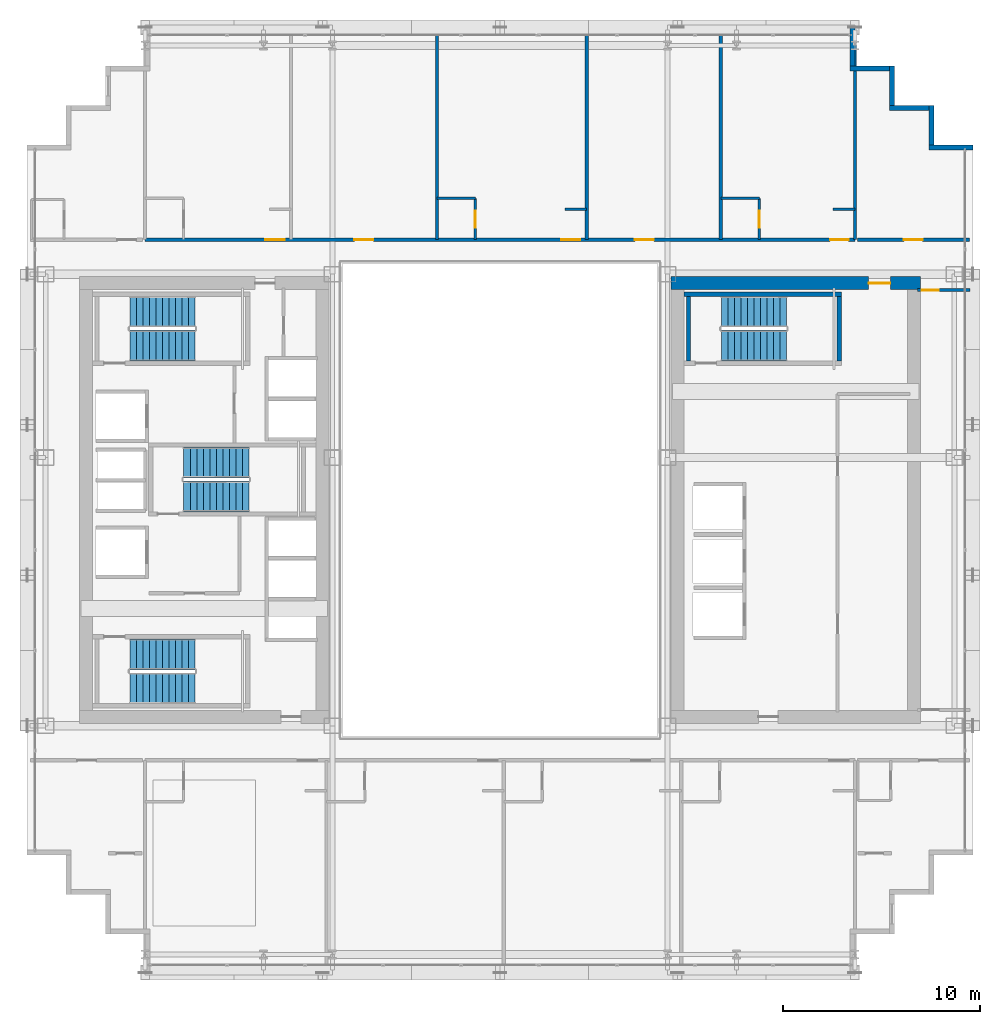
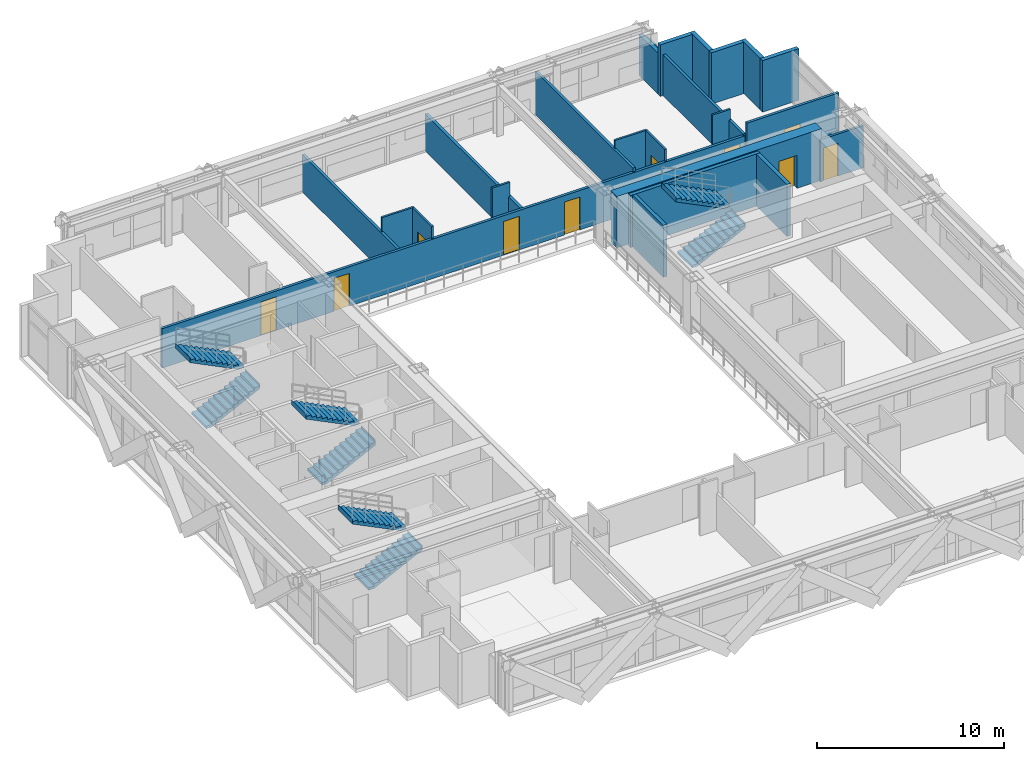
# One storey, part 30 of 34: 23 walls, 10 doors, 8 stair flights, 10 openings, 4 elements without a shape of their own.
"""IFC4 building model written with IfcOpenShell, lengths in metres."""

from ifc_helpers import new_model, si_unit, direction, frame, frame_2d, origin, place, context, subcontext, project, spatial, polyline, rectangle, outline, extrude, source, transform, mapped, material, layer, layer_set, type_object, element, fill, aggregate, save


model = new_model("IFC4")

# Units and contexts
model_context = context("Model", 3, precision=1e-05, world=origin(), true_north=direction((0.0, 1.0)))
body_context = subcontext(model_context, "Body", "Model", "MODEL_VIEW")
ifc_project = project(units=[si_unit("LENGTHUNIT", "METRE"), si_unit("AREAUNIT", "SQUARE_METRE"), si_unit("VOLUMEUNIT", "CUBIC_METRE"), si_unit("PLANEANGLEUNIT", "RADIAN"), si_unit("MASSUNIT", "GRAM", prefix="KILO")], contexts=[model_context])

# Site, building, storey
site_placement = place(None, origin())
site = spatial("IfcSite", under=ifc_project, at=site_placement, CompositionType="ELEMENT")
building_placement = place(site_placement, origin())
building = spatial("IfcBuilding", under=site, at=building_placement, Name="Ocotamira Hotel", CompositionType="ELEMENT")
storey_placement = place(building_placement, frame((0.0, 0.0, 108.0)))
storey = spatial("IfcBuildingStorey", under=building, at=storey_placement, Name="L26", CompositionType="ELEMENT", Elevation=108.0)

# Wall, opening, door
ifc_material_1 = material(Name="Concrete C60/75", Category="concrete")
ifc_layer_1 = layer(ifc_material_1, 0.64990234375)
ifc_layer_set_1 = layer_set([ifc_layer_1], Name="Concrete C60/75")
wall_type_1 = type_object("IfcWallType", Name="WL-CORE-650", PredefinedType="SHEAR", material=ifc_layer_set_1)
wall_1_placement = place(storey_placement, frame((40.675048828125, 37.0, 0.0), z_axis=(0.0, 0.0, 1.0), x_axis=(1.0, 0.0, 0.0)))
wall_1 = element("IfcWall", 1, at=wall_1_placement, inside=storey, type_object=wall_type_1, Name="L26 Shear Core Wall ECORE-N", PredefinedType="SHEAR", context=body_context, shape_type="SweptSolid", body=[
    extrude(rectangle(XDim=12.64990234375, YDim=0.64990234375, at=frame_2d((6.324951171875, 0.0))), origin(), (0.0, 0.0, 1.0), 3.360107421875),
])
opening_1_placement = place(wall_1_placement, frame((10.02490234375, 0.0, 0.0)))
opening_1 = element("IfcOpeningElement", 2, at=opening_1_placement, cuts=wall_1, Name="Opening D-FR1", PredefinedType="OPENING", context=body_context, shape_type="SweptSolid", body=[
    extrude(rectangle(XDim=1.10009765625, YDim=2.14990234375, at=frame_2d((0.550048828125, 1.074951171875))), frame((0.0, 0.3349609375, 0.0), z_axis=(0.0, -1.0, 0.0), x_axis=(1.0, 0.0, 0.0)), (0.0, 0.0, 1.0), 0.669921875),
])
ifc_material_2 = material(Name="Fire-rated acoustic timber-veneer door", Category="wood")
door_type_1 = type_object("IfcDoorType", Name="DR-FIRE-1100", OperationType="NOTDEFINED", PredefinedType="DOOR", material=ifc_material_2)
shared_shape_1 = source(origin(), body_context, "Body", "SweptSolid", [
    extrude(rectangle(XDim=1.10009765625, YDim=2.14990234375, at=frame_2d((0.550048828125, 1.074951171875))), frame((0.0, 0.02490234375, 0.0), z_axis=(0.0, -1.0, 0.0), x_axis=(1.0, 0.0, 0.0)), (0.0, 0.0, 1.0), 0.050048828125),
])
door_1_placement = place(opening_1_placement, origin())
door_1 = element("IfcDoor", 3, at=door_1_placement, inside=storey, type_object=door_type_1, Name="L26 Door ID-L26-ELOB-N-D [ID-L26-ELOB-N-D]", OperationType="SINGLE_SWING_LEFT", OverallHeight=2.14990234375, OverallWidth=1.10009765625, PredefinedType="DOOR", context=body_context, shape_type="MappedRepresentation", body=[
    mapped(shared_shape_1, transform((0.0, 0.0, 0.0), scale=1.0)),
])
fill(opening_1, door_1)

# Walls
ifc_material_3 = material(Name="Precast concrete C45/55", Category="concrete")
ifc_layer_2 = layer(ifc_material_3, 0.25)
ifc_layer_set_2 = layer_set([ifc_layer_2], Name="Precast concrete C45/55")
wall_type_2 = type_object("IfcWallType", Name="WL-EXT-SER-250", PredefinedType="SOLIDWALL", material=ifc_layer_set_2)
wall_2_placement = place(storey_placement, frame((56.0, 43.875, 0.0), z_axis=(0.0, 0.0, 1.0), x_axis=(-1.0, 0.0, 0.0)))
element("IfcWall", 4, at=wall_2_placement, inside=storey, type_object=wall_type_2, Name="L26 Serrated Corner Wall 07", PredefinedType="SOLIDWALL", context=body_context, shape_type="SweptSolid", body=[
    extrude(rectangle(XDim=2.25, YDim=0.25, at=frame_2d((1.125, 0.0))), origin(), (0.0, 0.0, 1.0), 3.360107421875),
])
for number, where, z_axis, x_axis, name in (
    (5, (53.875, 44.0, 0.0), (0.0, 0.0, 1.0), (0.0, 1.0, 0.0), "L26 Serrated Corner Wall 08"),
    (6, (53.75, 45.875, 0.0), (0.0, 0.0, 1.0), (-1.0, 0.0, 0.0), "L26 Serrated Corner Wall 09"),
    (7, (51.875, 46.0, 0.0), (0.0, 0.0, 1.0), (0.0, 1.0, 0.0), "L26 Serrated Corner Wall 10"),
    (8, (51.75, 47.875, 0.0), (0.0, 0.0, 1.0), (-1.0, 0.0, 0.0), "L26 Serrated Corner Wall 11"),
):
    element("IfcWall", number, at=place(storey_placement, frame(where, z_axis=z_axis, x_axis=x_axis)), inside=storey, type_object=wall_type_2, Name=name, PredefinedType="SOLIDWALL", context=body_context, shape_type="SweptSolid", body=[
        extrude(rectangle(XDim=2.0, YDim=0.25, at=frame_2d((1.0, 0.0))), origin(), (0.0, 0.0, 1.0), 3.360107421875),
    ])
wall_3_placement = place(storey_placement, frame((49.875, 48.0, 0.0), z_axis=(0.0, 0.0, 1.0), x_axis=(0.0, 1.0, 0.0)))
element("IfcWall", 9, at=wall_3_placement, inside=storey, type_object=wall_type_2, Name="L26 Serrated Corner Wall 12", PredefinedType="SOLIDWALL", context=body_context, shape_type="SweptSolid", body=[
    extrude(rectangle(XDim=2.0, YDim=0.25, at=frame_2d((1.0, 0.0))), origin(), (0.0, 0.0, 1.0), 2.6669921875),
])

# Wall, opening, door
ifc_material_4 = material(Name="Acoustic double-layer fire gypsum board partition", Category="gypsum")
ifc_layer_3 = layer(ifc_material_4, 0.159912109375)
ifc_layer_set_3 = layer_set([ifc_layer_3], Name="Acoustic double-layer fire gypsum board partition")
wall_type_3 = type_object("IfcWallType", Name="WL-FIRE-160", PredefinedType="PARTITIONING", material=ifc_layer_set_3)
wall_4_placement = place(storey_placement, frame((50.1201171875, 39.199951171875, 0.0), z_axis=(0.0, 0.0, 1.0), x_axis=(1.0, 0.0, 0.0)))
wall_4 = element("IfcWall", 10, at=wall_4_placement, inside=storey, type_object=wall_type_3, Name="L26 Interior Wall PW-L26-Z2B-CNE-CW", PredefinedType="PARTITIONING", context=body_context, shape_type="SweptSolid", body=[
    extrude(rectangle(XDim=5.679931640625, YDim=0.159912109375, at=frame_2d((2.83984375, 0.0))), origin(), (0.0, 0.0, 1.0), 3.360107421875),
])
opening_2_placement = place(wall_4_placement, frame((2.360107421875, 0.0, 0.0)))
opening_2 = element("IfcOpeningElement", 11, at=opening_2_placement, cuts=wall_4, Name="Opening D-SV4", PredefinedType="OPENING", context=body_context, shape_type="SweptSolid", body=[
    extrude(rectangle(XDim=0.9599609375, YDim=2.14990234375, at=frame_2d((0.47998046875, 1.074951171875))), frame((0.0, 0.08984375, 0.0), z_axis=(0.0, -1.0, 0.0), x_axis=(1.0, 0.0, 0.0)), (0.0, 0.0, 1.0), 0.179931640625),
])
ifc_material_5 = material(Name="Fire-rated accessible walnut salon door", Category="wood")
door_type_2 = type_object("IfcDoorType", Name="DR-SERV-960", OperationType="NOTDEFINED", PredefinedType="DOOR", material=ifc_material_5)
shared_shape_2 = source(origin(), body_context, "Body", "SweptSolid", [
    extrude(rectangle(XDim=0.9599609375, YDim=2.14990234375, at=frame_2d((0.47998046875, 1.074951171875))), frame((0.0, 0.02490234375, 0.0), z_axis=(0.0, -1.0, 0.0), x_axis=(1.0, 0.0, 0.0)), (0.0, 0.0, 1.0), 0.050048828125),
])
door_2_placement = place(opening_2_placement, origin())
door_2 = element("IfcDoor", 12, at=door_2_placement, inside=storey, type_object=door_type_2, Name="L26 Door ID-L26-Z2B-CNE-CD [ID-L26-Z2B-CNE-CD]", OperationType="SINGLE_SWING_LEFT", OverallHeight=2.14990234375, OverallWidth=0.9599609375, PredefinedType="DOOR", context=body_context, shape_type="MappedRepresentation", body=[
    mapped(shared_shape_2, transform((0.0, 0.0, 0.0), scale=1.0)),
])
fill(opening_2, door_2)

# Wall, openings, doors
wall_5_placement = place(storey_placement, frame((14.0, 39.199951171875, 0.0), z_axis=(0.0, 0.0, 1.0), x_axis=(1.0, 0.0, 0.0)))
wall_5 = element("IfcWall", 13, at=wall_5_placement, inside=storey, type_object=wall_type_3, Name="L26 Interior Wall PW-L26-Z2BN-CORRW", PredefinedType="PARTITIONING", context=body_context, shape_type="SweptSolid", body=[
    extrude(rectangle(XDim=36.0, YDim=0.159912109375, at=frame_2d((18.0, 0.0))), origin(), (0.0, 0.0, 1.0), 2.5810546875),
])
opening_3_placement = place(wall_5_placement, frame((6.10009765625, 0.0, 0.0)))
opening_3 = element("IfcOpeningElement", 14, at=opening_3_placement, cuts=wall_5, Name="Opening D-GR2", PredefinedType="OPENING", context=body_context, shape_type="SweptSolid", body=[
    extrude(rectangle(XDim=0.97998046875, YDim=2.199951171875, at=frame_2d((0.489990234375, 1.10009765625))), frame((0.0, 0.08984375, 0.0), z_axis=(0.0, -1.0, 0.0), x_axis=(1.0, 0.0, 0.0)), (0.0, 0.0, 1.0), 0.179931640625),
])
opening_4_placement = place(wall_5_placement, frame((10.6201171875, 0.0, 0.0)))
opening_4 = element("IfcOpeningElement", 15, at=opening_4_placement, cuts=wall_5, Name="Opening D-SV4", PredefinedType="OPENING", context=body_context, shape_type="SweptSolid", body=[
    extrude(rectangle(XDim=0.9599609375, YDim=2.14990234375, at=frame_2d((0.47998046875, 1.074951171875))), frame((0.0, 0.08984375, 0.0), z_axis=(0.0, -1.0, 0.0), x_axis=(1.0, 0.0, 0.0)), (0.0, 0.0, 1.0), 0.179931640625),
])
opening_5_placement = place(wall_5_placement, frame((21.10009765625, 0.0, 0.0)))
opening_5 = element("IfcOpeningElement", 16, at=opening_5_placement, cuts=wall_5, Name="Opening D-GR2", PredefinedType="OPENING", context=body_context, shape_type="SweptSolid", body=[
    extrude(rectangle(XDim=0.97998046875, YDim=2.199951171875, at=frame_2d((0.489990234375, 1.10009765625))), frame((0.0, 0.08984375, 0.0), z_axis=(0.0, -1.0, 0.0), x_axis=(1.0, 0.0, 0.0)), (0.0, 0.0, 1.0), 0.179931640625),
])
opening_6_placement = place(wall_5_placement, frame((24.840087890625, 0.0, 0.0)))
opening_6 = element("IfcOpeningElement", 17, at=opening_6_placement, cuts=wall_5, Name="Opening D-SV4", PredefinedType="OPENING", context=body_context, shape_type="SweptSolid", body=[
    extrude(rectangle(XDim=0.9599609375, YDim=2.14990234375, at=frame_2d((0.47998046875, 1.074951171875))), frame((0.0, 0.08984375, 0.0), z_axis=(0.0, -1.0, 0.0), x_axis=(1.0, 0.0, 0.0)), (0.0, 0.0, 1.0), 0.179931640625),
])
opening_7_placement = place(wall_5_placement, frame((34.739990234375, 0.0, 0.0)))
opening_7 = element("IfcOpeningElement", 18, at=opening_7_placement, cuts=wall_5, Name="Opening D-GR1", PredefinedType="OPENING", context=body_context, shape_type="SweptSolid", body=[
    extrude(rectangle(XDim=0.93994140625, YDim=2.14990234375, at=frame_2d((0.469970703125, 1.074951171875))), frame((0.0, 0.08984375, 0.0), z_axis=(0.0, -1.0, 0.0), x_axis=(1.0, 0.0, 0.0)), (0.0, 0.0, 1.0), 0.179931640625),
])
door_3_placement = place(opening_4_placement, origin())
door_3 = element("IfcDoor", 19, at=door_3_placement, inside=storey, type_object=door_type_2, Name="L26 Door ID-L26-Z2BN-AMD2 [ID-L26-Z2BN-AMD2]", OperationType="SINGLE_SWING_RIGHT", OverallHeight=2.14990234375, OverallWidth=0.9599609375, PredefinedType="DOOR", context=body_context, shape_type="MappedRepresentation", body=[
    mapped(shared_shape_2, transform((0.0, 0.0, 0.0), scale=1.0)),
])
fill(opening_4, door_3)
door_4_placement = place(opening_6_placement, origin())
door_4 = element("IfcDoor", 20, at=door_4_placement, inside=storey, type_object=door_type_2, Name="L26 Door ID-L26-Z2BN-AMD4 [ID-L26-Z2BN-AMD4]", OperationType="SINGLE_SWING_RIGHT", OverallHeight=2.14990234375, OverallWidth=0.9599609375, PredefinedType="DOOR", context=body_context, shape_type="MappedRepresentation", body=[
    mapped(shared_shape_2, transform((0.0, 0.0, 0.0), scale=1.0)),
])
fill(opening_6, door_4)
ifc_material_6 = material(Name="Solid-core walnut suite entrance fire door", Category="wood")
door_type_3 = type_object("IfcDoorType", Name="DR-GUEST-940", OperationType="NOTDEFINED", PredefinedType="DOOR", material=ifc_material_6)
shared_shape_3 = source(origin(), body_context, "Body", "SweptSolid", [
    extrude(rectangle(XDim=0.93994140625, YDim=2.14990234375, at=frame_2d((0.469970703125, 1.074951171875))), frame((0.0, 0.02490234375, 0.0), z_axis=(0.0, -1.0, 0.0), x_axis=(1.0, 0.0, 0.0)), (0.0, 0.0, 1.0), 0.050048828125),
])
door_5_placement = place(opening_7_placement, origin())
door_5 = element("IfcDoor", 21, at=door_5_placement, inside=storey, type_object=door_type_3, Name="L26 Door ID-L26-Z2BN-RMD5 [ID-L26-Z2BN-RMD5]", OperationType="SINGLE_SWING_LEFT", OverallHeight=2.14990234375, OverallWidth=0.93994140625, PredefinedType="DOOR", context=body_context, shape_type="MappedRepresentation", body=[
    mapped(shared_shape_3, transform((0.0, 0.0, 0.0), scale=1.0)),
])
fill(opening_7, door_5)
ifc_material_7 = material(Name="Solid-core walnut grand-suite entrance fire door", Category="wood")
door_type_4 = type_object("IfcDoorType", Name="DR-GUEST-980", OperationType="NOTDEFINED", PredefinedType="DOOR", material=ifc_material_7)
shared_shape_4 = source(origin(), body_context, "Body", "SweptSolid", [
    extrude(rectangle(XDim=0.97998046875, YDim=2.199951171875, at=frame_2d((0.489990234375, 1.10009765625))), frame((0.0, 0.02490234375, 0.0), z_axis=(0.0, -1.0, 0.0), x_axis=(1.0, 0.0, 0.0)), (0.0, 0.0, 1.0), 0.050048828125),
])
door_6_placement = place(opening_3_placement, origin())
door_6 = element("IfcDoor", 22, at=door_6_placement, inside=storey, type_object=door_type_4, Name="L26 Door ID-L26-Z2BN-RMD1 [ID-L26-Z2BN-RMD1]", OperationType="SINGLE_SWING_LEFT", OverallHeight=2.199951171875, OverallWidth=0.97998046875, PredefinedType="DOOR", context=body_context, shape_type="MappedRepresentation", body=[
    mapped(shared_shape_4, transform((0.0, 0.0, 0.0), scale=1.0)),
])
fill(opening_3, door_6)
door_7_placement = place(opening_5_placement, origin())
door_7 = element("IfcDoor", 23, at=door_7_placement, inside=storey, type_object=door_type_4, Name="L26 Door ID-L26-Z2BN-RMD3 [ID-L26-Z2BN-RMD3]", OperationType="SINGLE_SWING_LEFT", OverallHeight=2.199951171875, OverallWidth=0.97998046875, PredefinedType="DOOR", context=body_context, shape_type="MappedRepresentation", body=[
    mapped(shared_shape_4, transform((0.0, 0.0, 0.0), scale=1.0)),
])
fill(opening_5, door_7)

# Wall, opening, door
ifc_material_8 = material(Name="Moisture-resistant en-suite tile and gypsum partition", Category="gypsum")
ifc_layer_4 = layer(ifc_material_8, 0.1201171875)
ifc_layer_set_4 = layer_set([ifc_layer_4], Name="Moisture-resistant en-suite tile and gypsum partition")
wall_type_4 = type_object("IfcWallType", Name="WL-PART-120", PredefinedType="PARTITIONING", material=ifc_layer_set_4)
wall_6_placement = place(storey_placement, frame((30.75, 39.199951171875, 0.0), z_axis=(0.0, 0.0, 1.0), x_axis=(0.0, 1.0, 0.0)))
wall_6 = element("IfcWall", 24, at=wall_6_placement, inside=storey, type_object=wall_type_4, Name="L26 Interior Wall PW-L26-Z2BN-BAE3", PredefinedType="PARTITIONING", context=body_context, shape_type="SweptSolid", body=[
    extrude(rectangle(XDim=2.10009765625, YDim=0.1201171875, at=frame_2d((1.050048828125, 0.0))), origin(), (0.0, 0.0, 1.0), 3.360107421875),
])
opening_8_placement = place(wall_6_placement, frame((0.6201171875, 0.0, 0.0)))
opening_8 = element("IfcOpeningElement", 25, at=opening_8_placement, cuts=wall_6, Name="Opening D-BA1", PredefinedType="OPENING", context=body_context, shape_type="SweptSolid", body=[
    extrude(rectangle(XDim=0.860107421875, YDim=2.10009765625, at=frame_2d((0.43017578125, 1.050048828125))), frame((0.0, 0.070068359375, 0.0), z_axis=(0.0, -1.0, 0.0), x_axis=(1.0, 0.0, 0.0)), (0.0, 0.0, 1.0), 0.14013671875),
])
ifc_material_9 = material(Name="Moisture-sealed en-suite timber door", Category="wood")
door_type_5 = type_object("IfcDoorType", Name="DR-BATH-860", OperationType="NOTDEFINED", PredefinedType="DOOR", material=ifc_material_9)
shared_shape_5 = source(origin(), body_context, "Body", "SweptSolid", [
    extrude(rectangle(XDim=0.860107421875, YDim=2.10009765625, at=frame_2d((0.43017578125, 1.050048828125))), frame((0.0, 0.02490234375, 0.0), z_axis=(0.0, -1.0, 0.0), x_axis=(1.0, 0.0, 0.0)), (0.0, 0.0, 1.0), 0.050048828125),
])
door_8_placement = place(opening_8_placement, origin())
door_8 = element("IfcDoor", 26, at=door_8_placement, inside=storey, type_object=door_type_5, Name="L26 Door ID-L26-Z2BN-BAD3 [ID-L26-Z2BN-BAD3]", OperationType="SINGLE_SWING_RIGHT", OverallHeight=2.10009765625, OverallWidth=0.860107421875, PredefinedType="DOOR", context=body_context, shape_type="MappedRepresentation", body=[
    mapped(shared_shape_5, transform((0.0, 0.0, 0.0), scale=1.0)),
])
fill(opening_8, door_8)

# Walls
wall_7_placement = place(storey_placement, frame((28.800048828125, 41.300048828125, 0.0), z_axis=(0.0, 0.0, 1.0), x_axis=(1.0, 0.0, 0.0)))
element("IfcWall", 27, at=wall_7_placement, inside=storey, type_object=wall_type_4, Name="L26 Interior Wall PW-L26-Z2BN-BAN3", PredefinedType="PARTITIONING", context=body_context, shape_type="SweptSolid", body=[
    extrude(rectangle(XDim=1.949951171875, YDim=0.1201171875, at=frame_2d((0.97509765625, 0.0))), origin(), (0.0, 0.0, 1.0), 3.360107421875),
])
wall_8_placement = place(storey_placement, frame((35.300048828125, 40.75, 0.0), z_axis=(0.0, 0.0, 1.0), x_axis=(1.0, 0.0, 0.0)))
element("IfcWall", 28, at=wall_8_placement, inside=storey, type_object=wall_type_4, Name="L26 Interior Wall PW-L26-Z2BN-DRN3", PredefinedType="PARTITIONING", context=body_context, shape_type="SweptSolid", body=[
    extrude(rectangle(XDim=1.099853515625, YDim=0.1201171875, at=frame_2d((0.5498046875, 0.0))), origin(), (0.0, 0.0, 1.0), 3.360107421875),
])

# Wall, opening, door
wall_9_placement = place(storey_placement, frame((45.14990234375, 39.199951171875, 0.0), z_axis=(0.0, 0.0, 1.0), x_axis=(0.0, 1.0, 0.0)))
wall_9 = element("IfcWall", 29, at=wall_9_placement, inside=storey, type_object=wall_type_4, Name="L26 Interior Wall PW-L26-Z2BN-BAE5", PredefinedType="PARTITIONING", context=body_context, shape_type="SweptSolid", body=[
    extrude(rectangle(XDim=2.10009765625, YDim=0.1201171875, at=frame_2d((1.050048828125, 0.0))), origin(), (0.0, 0.0, 1.0), 3.360107421875),
])
opening_9_placement = place(wall_9_placement, frame((0.6201171875, 0.0, 0.0)))
opening_9 = element("IfcOpeningElement", 30, at=opening_9_placement, cuts=wall_9, Name="Opening D-BA1", PredefinedType="OPENING", context=body_context, shape_type="SweptSolid", body=[
    extrude(rectangle(XDim=0.860107421875, YDim=2.10009765625, at=frame_2d((0.43017578125, 1.050048828125))), frame((0.0, 0.070068359375, 0.0), z_axis=(0.0, -1.0, 0.0), x_axis=(1.0, 0.0, 0.0)), (0.0, 0.0, 1.0), 0.14013671875),
])
door_9_placement = place(opening_9_placement, origin())
door_9 = element("IfcDoor", 31, at=door_9_placement, inside=storey, type_object=door_type_5, Name="L26 Door ID-L26-Z2BN-BAD5 [ID-L26-Z2BN-BAD5]", OperationType="SINGLE_SWING_RIGHT", OverallHeight=2.10009765625, OverallWidth=0.860107421875, PredefinedType="DOOR", context=body_context, shape_type="MappedRepresentation", body=[
    mapped(shared_shape_5, transform((0.0, 0.0, 0.0), scale=1.0)),
])
fill(opening_9, door_9)

# Walls
wall_10_placement = place(storey_placement, frame((43.199951171875, 41.300048828125, 0.0), z_axis=(0.0, 0.0, 1.0), x_axis=(1.0, 0.0, 0.0)))
element("IfcWall", 32, at=wall_10_placement, inside=storey, type_object=wall_type_4, Name="L26 Interior Wall PW-L26-Z2BN-BAN5", PredefinedType="PARTITIONING", context=body_context, shape_type="SweptSolid", body=[
    extrude(rectangle(XDim=1.949951171875, YDim=0.1201171875, at=frame_2d((0.97509765625, 0.0))), origin(), (0.0, 0.0, 1.0), 3.360107421875),
])
wall_11_placement = place(storey_placement, frame((48.89990234375, 40.75, 0.0), z_axis=(0.0, 0.0, 1.0), x_axis=(1.0, 0.0, 0.0)))
element("IfcWall", 33, at=wall_11_placement, inside=storey, type_object=wall_type_4, Name="L26 Interior Wall PW-L26-Z2BN-DRN5", PredefinedType="PARTITIONING", context=body_context, shape_type="SweptSolid", body=[
    extrude(rectangle(XDim=1.10009765625, YDim=0.1201171875, at=frame_2d((0.550048828125, 0.0))), origin(), (0.0, 0.0, 1.0), 3.360107421875),
])

# Wall, opening, door
ifc_material_10 = material(Name="Acoustic hospitality gypsum board partition", Category="gypsum")
ifc_layer_5 = layer(ifc_material_10, 0.14990234375)
ifc_layer_set_5 = layer_set([ifc_layer_5], Name="Acoustic hospitality gypsum board partition")
wall_type_5 = type_object("IfcWallType", Name="WL-PART-150", PredefinedType="PARTITIONING", material=ifc_layer_set_5)
wall_12_placement = place(storey_placement, frame((53.179931640625, 36.639892578125, 0.0), z_axis=(0.0, 0.0, 1.0), x_axis=(1.0, 0.0, 0.0)))
wall_12 = element("IfcWall", 34, at=wall_12_placement, inside=storey, type_object=wall_type_5, Name="L26 Interior Wall PW-L26-Z2B-EF-WN", PredefinedType="PARTITIONING", context=body_context, shape_type="SweptSolid", body=[
    extrude(rectangle(XDim=2.66015625, YDim=0.14990234375, at=frame_2d((1.330078125, 0.0))), origin(), (0.0, 0.0, 1.0), 2.742919921875),
])
opening_10_placement = place(wall_12_placement, frame((0.199951171875, 0.0, 0.0)))
opening_10 = element("IfcOpeningElement", 35, at=opening_10_placement, cuts=wall_12, Name="Opening D-SV2", PredefinedType="OPENING", context=body_context, shape_type="SweptSolid", body=[
    extrude(rectangle(XDim=0.8798828125, YDim=2.14990234375, at=frame_2d((0.43994140625, 1.074951171875))), frame((0.0, 0.0849609375, 0.0), z_axis=(0.0, -1.0, 0.0), x_axis=(1.0, 0.0, 0.0)), (0.0, 0.0, 1.0), 0.169921875),
])
ifc_material_11 = material(Name="Fire-rated painted steel service door", Category="steel")
door_type_6 = type_object("IfcDoorType", Name="DR-SERV-880", OperationType="NOTDEFINED", PredefinedType="DOOR", material=ifc_material_11)
shared_shape_6 = source(origin(), body_context, "Body", "SweptSolid", [
    extrude(rectangle(XDim=0.8798828125, YDim=2.14990234375, at=frame_2d((0.43994140625, 1.074951171875))), frame((0.0, 0.02490234375, 0.0), z_axis=(0.0, -1.0, 0.0), x_axis=(1.0, 0.0, 0.0)), (0.0, 0.0, 1.0), 0.050048828125),
])
door_10_placement = place(opening_10_placement, origin())
door_10 = element("IfcDoor", 36, at=door_10_placement, inside=storey, type_object=door_type_6, Name="L26 Door ID-L26-Z2B-EF-DN [ID-L26-Z2B-EF-DN]", OperationType="SINGLE_SWING_LEFT", OverallHeight=2.14990234375, OverallWidth=0.8798828125, PredefinedType="DOOR", context=body_context, shape_type="MappedRepresentation", body=[
    mapped(shared_shape_6, transform((0.0, 0.0, 0.0), scale=1.0)),
])
fill(opening_10, door_10)

# Walls
ifc_material_12 = material(Name="Acoustic double-stud hospitality gypsum partition", Category="gypsum")
ifc_layer_6 = layer(ifc_material_12, 0.159912109375)
ifc_layer_set_6 = layer_set([ifc_layer_6], Name="Acoustic double-stud hospitality gypsum partition")
wall_type_6 = type_object("IfcWallType", Name="WL-PART-160", PredefinedType="PARTITIONING", material=ifc_layer_set_6)
wall_13_placement = place(storey_placement, frame((50.0, 39.199951171875, 0.0), z_axis=(0.0, 0.0, 1.0), x_axis=(0.0, 1.0, 0.0)))
element("IfcWall", 37, at=wall_13_placement, inside=storey, type_object=wall_type_6, Name="L26 Interior Wall PW-L26-Z2BN-PWEND", PredefinedType="PARTITIONING", context=body_context, shape_type="SweptSolid", body=[
    extrude(rectangle(XDim=10.43994140625, YDim=0.159912109375, at=frame_2d((5.219970703125, 0.0))), origin(), (0.0, 0.0, 1.0), 2.6669921875),
])
wall_14_placement = place(storey_placement, frame((28.800048828125, 39.199951171875, 0.0), z_axis=(0.0, 0.0, 1.0), x_axis=(0.0, 1.0, 0.0)))
element("IfcWall", 38, at=wall_14_placement, inside=storey, type_object=wall_type_6, Name="L26 Interior Wall PW-L26-Z2BN-PW2", PredefinedType="PARTITIONING", context=body_context, shape_type="SweptSolid", body=[
    extrude(rectangle(XDim=10.43994140625, YDim=0.159912109375, at=frame_2d((5.219970703125, 0.0))), origin(), (0.0, 0.0, 1.0), 2.43310546875),
])
wall_15_placement = place(storey_placement, frame((43.199951171875, 39.199951171875, 0.0), z_axis=(0.0, 0.0, 1.0), x_axis=(0.0, 1.0, 0.0)))
element("IfcWall", 39, at=wall_15_placement, inside=storey, type_object=wall_type_6, Name="L26 Interior Wall PW-L26-Z2BN-PW4", PredefinedType="PARTITIONING", context=body_context, shape_type="SweptSolid", body=[
    extrude(rectangle(XDim=10.43994140625, YDim=0.159912109375, at=frame_2d((5.219970703125, 0.0))), origin(), (0.0, 0.0, 1.0), 2.822998046875),
])
ifc_material_13 = material(Name="Double-stud suite party gypsum partition", Category="gypsum")
ifc_layer_7 = layer(ifc_material_13, 0.175048828125)
ifc_layer_set_7 = layer_set([ifc_layer_7], Name="Double-stud suite party gypsum partition")
wall_type_7 = type_object("IfcWallType", Name="WL-PART-175", PredefinedType="PARTITIONING", material=ifc_layer_set_7)
wall_16_placement = place(storey_placement, frame((36.39990234375, 39.199951171875, 0.0), z_axis=(0.0, 0.0, 1.0), x_axis=(0.0, 1.0, 0.0)))
element("IfcWall", 40, at=wall_16_placement, inside=storey, type_object=wall_type_7, Name="L26 Interior Wall PW-L26-Z2BN-PW3", PredefinedType="PARTITIONING", context=body_context, shape_type="SweptSolid", body=[
    extrude(rectangle(XDim=10.43994140625, YDim=0.175048828125, at=frame_2d((5.219970703125, 0.0))), origin(), (0.0, 0.0, 1.0), 2.43310546875),
])
ifc_material_14 = material(Name="Concrete C50/60", Category="concrete")
ifc_layer_8 = layer(ifc_material_14, 0.219970703125)
ifc_layer_set_8 = layer_set([ifc_layer_8], Name="Concrete C50/60")
wall_type_8 = type_object("IfcWallType", Name="WL-STAIR-220", PredefinedType="SHEAR", material=ifc_layer_set_8)
wall_17_placement = place(storey_placement, frame((41.324951171875, 36.43994140625, 0.0), z_axis=(0.0, 0.0, 1.0), x_axis=(1.0, 0.0, 0.0)))
element("IfcWall", 41, at=wall_17_placement, inside=storey, type_object=wall_type_8, Name="L26 Stair Shaft Structural Wall ST-4-N", PredefinedType="SHEAR", context=body_context, shape_type="SweptSolid", body=[
    extrude(rectangle(XDim=7.985107421875, YDim=0.219970703125, at=frame_2d((3.99267578125, 0.0))), origin(), (0.0, 0.0, 1.0), 3.39990234375),
])
for number, where, z_axis, x_axis, name in (
    (42, (41.56005859375, 33.050048828125, 0.0), (0.0, 0.0, 1.0), (0.0, 1.0, 0.0), "L26 Stair Shaft Structural Wall ST-4-W"),
    (43, (49.199951171875, 33.050048828125, 0.0), (0.0, 0.0, 1.0), (0.0, 1.0, 0.0), "L26 Stair Shaft Structural Wall ST-4-E"),
):
    element("IfcWall", number, at=place(storey_placement, frame(where, z_axis=z_axis, x_axis=x_axis)), inside=storey, type_object=wall_type_8, Name=name, PredefinedType="SHEAR", context=body_context, shape_type="SweptSolid", body=[
        extrude(rectangle(XDim=3.280029296875, YDim=0.219970703125, at=frame_2d((1.64013671875, 0.0))), origin(), (0.0, 0.0, 1.0), 3.39990234375),
    ])

# Stair, stair flights
ifc_material_15 = material(Name="Concrete C40/50", Category="concrete")
stair_type = type_object("IfcStairType", Name="ST-CORE-1560", PredefinedType="HALF_TURN_STAIR", material=ifc_material_15)
stair_1_placement = place(storey_placement, origin())
stair_1 = element("IfcStair", 44, at=stair_1_placement, inside=storey, type_object=stair_type, Name="L26 Exit Stair ST-1", PredefinedType="HALF_TURN_STAIR")
stair_flight_type = type_object("IfcStairFlightType", Name="STF-CORE-1560", PredefinedType="STRAIGHT", material=ifc_material_15)
shared_shape_7 = source(origin(), body_context, "Body", "SweptSolid", [
    extrude(outline(polyline([(-0.00390625, 0.0), (-0.00390625, 0.16357421875), (0.330078125, 0.16357421875), (0.330078125, 0.327392578125), (0.659912109375, 0.327392578125), (0.659912109375, 0.490966796875), (0.989990234375, 0.490966796875), (0.989990234375, 0.654541015625), (1.320068359375, 0.654541015625), (1.320068359375, 0.818115234375), (1.64990234375, 0.818115234375), (1.64990234375, 0.98193359375), (1.97998046875, 0.98193359375), (1.97998046875, 1.1455078125), (2.31005859375, 1.1455078125), (2.31005859375, 1.30908203125), (2.639892578125, 1.30908203125), (2.639892578125, 1.47265625), (2.969970703125, 1.47265625), (2.969970703125, 1.636474609375), (3.300048828125, 1.636474609375), (3.300048828125, 1.800048828125), (3.303955078125, 1.800048828125), (3.303955078125, 1.468994140625), (0.33740234375, 0.0), (-0.00390625, 0.0)])), frame((0.0, 0.780029296875, 0.0), z_axis=(0.0, -1.0, 0.0), x_axis=(1.0, 0.0, 0.0)), (0.0, 0.0, 1.0), 1.56005859375),
])
stair_flight_1_placement = place(storey_placement, frame((13.22998046875, 16.449951171875, 0.0), z_axis=(0.0, 0.0, 1.0), x_axis=(1.0, 0.0, 0.0)))
stair_flight_1 = element("IfcStairFlight", 45, at=stair_flight_1_placement, type_object=stair_flight_type, Name="ST-1 flight 1", NumberOfRisers=11, NumberOfTreads=10, PredefinedType="STRAIGHT", RiserHeight=0.163636364, TreadLength=0.33, context=body_context, shape_type="MappedRepresentation", body=[
    mapped(shared_shape_7, transform((0.0, 0.0, 0.0), scale=1.0)),
])
stair_flight_2_placement = place(storey_placement, frame((16.530029296875, 18.169921875, 1.800048828125), z_axis=(0.0, 0.0, 1.0), x_axis=(-1.0, 0.0, 0.0)))
stair_flight_2 = element("IfcStairFlight", 46, at=stair_flight_2_placement, type_object=stair_flight_type, Name="ST-1 flight 2", NumberOfRisers=11, NumberOfTreads=10, PredefinedType="STRAIGHT", RiserHeight=0.163636364, TreadLength=0.33, context=body_context, shape_type="MappedRepresentation", body=[
    mapped(shared_shape_7, transform((0.0, 0.0, 0.0), scale=1.0)),
])
aggregate(stair_1, [stair_flight_1, stair_flight_2])

stair_2_placement = place(storey_placement, origin())
stair_2 = element("IfcStair", 47, at=stair_2_placement, inside=storey, type_object=stair_type, Name="L26 Exit Stair ST-2", PredefinedType="HALF_TURN_STAIR")
stair_flight_3_placement = place(storey_placement, frame((13.22998046875, 33.830078125, 0.0), z_axis=(0.0, 0.0, 1.0), x_axis=(1.0, 0.0, 0.0)))
stair_flight_3 = element("IfcStairFlight", 48, at=stair_flight_3_placement, type_object=stair_flight_type, Name="ST-2 flight 1", NumberOfRisers=11, NumberOfTreads=10, PredefinedType="STRAIGHT", RiserHeight=0.163636364, TreadLength=0.33, context=body_context, shape_type="MappedRepresentation", body=[
    mapped(shared_shape_7, transform((0.0, 0.0, 0.0), scale=1.0)),
])
stair_flight_4_placement = place(storey_placement, frame((16.530029296875, 35.550048828125, 1.800048828125), z_axis=(0.0, 0.0, 1.0), x_axis=(-1.0, 0.0, 0.0)))
stair_flight_4 = element("IfcStairFlight", 49, at=stair_flight_4_placement, type_object=stair_flight_type, Name="ST-2 flight 2", NumberOfRisers=11, NumberOfTreads=10, PredefinedType="STRAIGHT", RiserHeight=0.163636364, TreadLength=0.33, context=body_context, shape_type="MappedRepresentation", body=[
    mapped(shared_shape_7, transform((0.0, 0.0, 0.0), scale=1.0)),
])
aggregate(stair_2, [stair_flight_3, stair_flight_4])

stair_3_placement = place(storey_placement, origin())
stair_3 = element("IfcStair", 50, at=stair_3_placement, inside=storey, type_object=stair_type, Name="L26 Exit Stair ST-3", PredefinedType="HALF_TURN_STAIR")
stair_flight_5_placement = place(storey_placement, frame((15.9599609375, 26.179931640625, 0.0), z_axis=(0.0, 0.0, 1.0), x_axis=(1.0, 0.0, 0.0)))
stair_flight_5 = element("IfcStairFlight", 51, at=stair_flight_5_placement, type_object=stair_flight_type, Name="ST-3 flight 1", NumberOfRisers=11, NumberOfTreads=10, PredefinedType="STRAIGHT", RiserHeight=0.163636364, TreadLength=0.33, context=body_context, shape_type="MappedRepresentation", body=[
    mapped(shared_shape_7, transform((0.0, 0.0, 0.0), scale=1.0)),
])
stair_flight_6_placement = place(storey_placement, frame((19.260009765625, 27.89990234375, 1.800048828125), z_axis=(0.0, 0.0, 1.0), x_axis=(-1.0, 0.0, 0.0)))
stair_flight_6 = element("IfcStairFlight", 52, at=stair_flight_6_placement, type_object=stair_flight_type, Name="ST-3 flight 2", NumberOfRisers=11, NumberOfTreads=10, PredefinedType="STRAIGHT", RiserHeight=0.163636364, TreadLength=0.33, context=body_context, shape_type="MappedRepresentation", body=[
    mapped(shared_shape_7, transform((0.0, 0.0, 0.0), scale=1.0)),
])
aggregate(stair_3, [stair_flight_5, stair_flight_6])

stair_4_placement = place(storey_placement, origin())
stair_4 = element("IfcStair", 53, at=stair_4_placement, inside=storey, type_object=stair_type, Name="L26 Exit Stair ST-4", PredefinedType="HALF_TURN_STAIR")
stair_flight_7_placement = place(storey_placement, frame((43.22998046875, 33.830078125, 0.0), z_axis=(0.0, 0.0, 1.0), x_axis=(1.0, 0.0, 0.0)))
stair_flight_7 = element("IfcStairFlight", 54, at=stair_flight_7_placement, type_object=stair_flight_type, Name="ST-4 flight 1", NumberOfRisers=11, NumberOfTreads=10, PredefinedType="STRAIGHT", RiserHeight=0.163636364, TreadLength=0.33, context=body_context, shape_type="MappedRepresentation", body=[
    mapped(shared_shape_7, transform((0.0, 0.0, 0.0), scale=1.0)),
])
stair_flight_8_placement = place(storey_placement, frame((46.530029296875, 35.550048828125, 1.800048828125), z_axis=(0.0, 0.0, 1.0), x_axis=(-1.0, 0.0, 0.0)))
stair_flight_8 = element("IfcStairFlight", 55, at=stair_flight_8_placement, type_object=stair_flight_type, Name="ST-4 flight 2", NumberOfRisers=11, NumberOfTreads=10, PredefinedType="STRAIGHT", RiserHeight=0.163636364, TreadLength=0.33, context=body_context, shape_type="MappedRepresentation", body=[
    mapped(shared_shape_7, transform((0.0, 0.0, 0.0), scale=1.0)),
])
aggregate(stair_4, [stair_flight_7, stair_flight_8])

save(model, "model.ifc")
